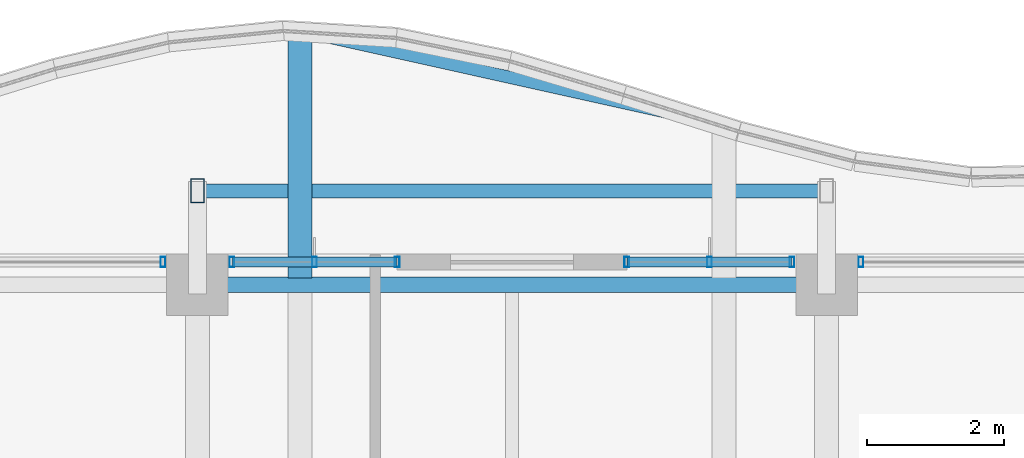
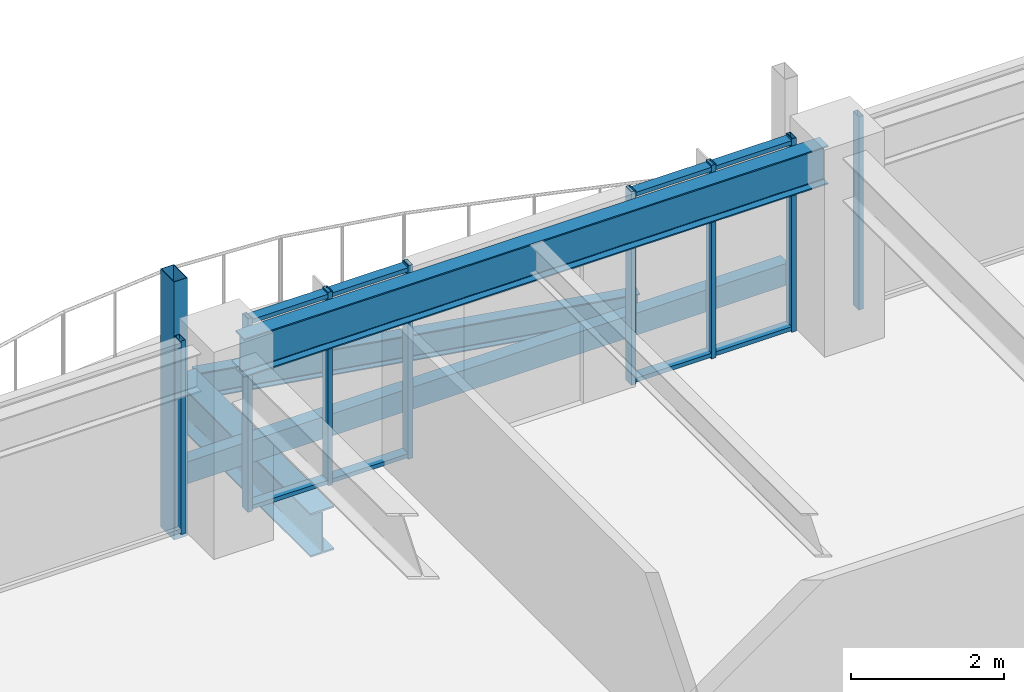
# One storey, part 20 of 37: 14 members, 3 beams, 4 elements without a shape of their own.
"""IFC4 building model written with IfcOpenShell, lengths in metres."""

from ifc_helpers import new_model, si_unit, direction, frame, origin, origin_2d, place, context, subcontext, project, spatial, hollow_rectangle, i_section, extrude, material, material_profile, profile_set, type_object, element, aggregate, save


model = new_model("IFC4")

# Units and contexts
model_context = context("Model", 3, precision=1e-05, world=origin(), true_north=direction((0.0, 1.0)))
body_context = subcontext(model_context, "Body", "Model", "MODEL_VIEW")
ifc_project = project(units=[si_unit("LENGTHUNIT", "METRE"), si_unit("AREAUNIT", "SQUARE_METRE"), si_unit("VOLUMEUNIT", "CUBIC_METRE"), si_unit("PLANEANGLEUNIT", "RADIAN"), si_unit("MASSUNIT", "GRAM", prefix="KILO")], contexts=[model_context])

# Site, building, storey
site_placement = place(None, origin())
site = spatial("IfcSite", under=ifc_project, at=site_placement, CompositionType="ELEMENT")
building_placement = place(site_placement, origin())
building = spatial("IfcBuilding", under=site, at=building_placement, Name="Kolvaren Belvedere", CompositionType="ELEMENT")
storey_placement = place(building_placement, frame((0.0, 0.0, 173.39990234375)))
storey = spatial("IfcBuildingStorey", under=building, at=storey_placement, Name="L50", CompositionType="ELEMENT", Elevation=173.39990234375)

# Beams
ifc_material_1 = material(Name="Structural steel ASTM A992 Grade 50", Category="steel")
ifc_material_profile_1 = material_profile(ifc_material_1, i_section(OverallWidth=0.35498046875, OverallDepth=0.696044921875, WebThickness=0.015380859375, FlangeThickness=0.02490234375, FilletRadius=0.02197265625, at=origin_2d()), Name="W27X146")
ifc_profile_set_1 = profile_set([ifc_material_profile_1], Name="Structural steel ASTM A992 Grade 50")
beam_type_1 = type_object("IfcBeamType", Name="BM-CANT-BAL", PredefinedType="BEAM", material=ifc_profile_set_1)
beam_1_placement = place(storey_placement, frame((-3.10009765625, 20.044921875, -0.56787109375), z_axis=(0.0, 1.0, 0.0), x_axis=(-1.0, 0.0, 0.0)))
element("IfcBeam", 1, at=beam_1_placement, inside=storey, type_object=beam_type_1, Name="L50 Planted Balcony Cantilever BAL-N-1", PredefinedType="BEAM", context=body_context, shape_type="SweptSolid", body=[
    extrude(i_section(OverallWidth=0.35498046875, OverallDepth=0.696044921875, WebThickness=0.015380859375, FlangeThickness=0.02490234375, FilletRadius=0.02197265625, at=origin_2d()), origin(), (0.0, 0.0, 1.0), 3.619140625),
])
ifc_material_2 = material(Name="Structural steel ASTM A992 Grade 50", Category="steel")
ifc_material_profile_2 = material_profile(ifc_material_2, i_section(OverallWidth=0.180908203125, OverallDepth=0.4169921875, WebThickness=0.010986328125, FlangeThickness=0.018310546875, FilletRadius=0.013916015625, at=origin_2d()), Name="W16X57")
ifc_profile_set_2 = profile_set([ifc_material_profile_2], Name="Structural steel ASTM A992 Grade 50")
beam_type_2 = type_object("IfcBeamType", Name="BM-EDGE-W16X57", PredefinedType="BEAM", material=ifc_profile_set_2)
beam_2_placement = place(storey_placement, frame((-2.96337890625, 23.6337890625, -0.428466796875), z_axis=(0.976133101582, -0.217173129084, 0.0), x_axis=(0.217173129084, 0.976133101582, 0.0)))
element("IfcBeam", 2, at=beam_2_placement, inside=storey, type_object=beam_type_2, Name="L50 Balcony Tip Header Beam BAL-N", PredefinedType="BEAM", context=body_context, shape_type="SweptSolid", body=[
    extrude(i_section(OverallWidth=0.180908203125, OverallDepth=0.4169921875, WebThickness=0.010986328125, FlangeThickness=0.018310546875, FilletRadius=0.013916015625, at=origin_2d()), origin(), (0.0, 0.0, 1.0), 6.07177734375),
])
ifc_material_3 = material(Name="Structural steel ASTM A992 Grade 50", Category="steel")
ifc_material_profile_3 = material_profile(ifc_material_3, i_section(OverallWidth=0.22900390625, OverallDepth=0.612060546875, WebThickness=0.011962890625, FlangeThickness=0.01953125, FilletRadius=0.01806640625, at=origin_2d()), Name="W24X84")
ifc_profile_set_3 = profile_set([ifc_material_profile_3], Name="Structural steel ASTM A992 Grade 50")
beam_type_3 = type_object("IfcBeamType", Name="BM-SPAN-W24X84", PredefinedType="SPANDREL", material=ifc_profile_set_3)
beam_3_placement = place(storey_placement, frame((4.3974609375, 19.949951171875, 2.774169921875), z_axis=(-1.0, 0.0, 0.0), x_axis=(0.0, -1.0, 0.0)))
element("IfcBeam", 3, at=beam_3_placement, inside=storey, type_object=beam_type_3, Name="L50 Perimeter Spandrel N3-N2", PredefinedType="SPANDREL", context=body_context, shape_type="SweptSolid", body=[
    extrude(i_section(OverallWidth=0.22900390625, OverallDepth=0.612060546875, WebThickness=0.011962890625, FlangeThickness=0.01953125, FilletRadius=0.01806640625, at=origin_2d()), origin(), (0.0, 0.0, 1.0), 8.794921875),
])

# Curtain wall, member
ifc_material_4 = material(Name="Anodised pale-metal aluminium AA 6063-T6", Category="aluminium")
curtain_wall_type = type_object("IfcCurtainWallType", Name="CW-Z5-HIGH", PredefinedType="NOTDEFINED", material=ifc_material_4)
curtain_wall_1_placement = place(storey_placement, origin())
curtain_wall_1 = element("IfcCurtainWall", 4, at=curtain_wall_1_placement, inside=storey, type_object=curtain_wall_type, Name="L50 Unitised Curtain Wall FCW-L50-N1-B1", PredefinedType="NOTDEFINED")
ifc_material_5 = material(Name="Anodised pale-metal aluminium AA 6063-T6", Category="aluminium")
ifc_material_profile_4 = material_profile(ifc_material_5, hollow_rectangle(XDim=0.070068359375, YDim=0.14990234375, WallThickness=0.004150390625, at=origin_2d()), Name="ALU-MUL-150X70")
ifc_profile_set_4 = profile_set([ifc_material_profile_4], Name="Anodised pale-metal aluminium AA 6063-T6")
member_type_1 = type_object("IfcMemberType", Name="CW-MUL-150", PredefinedType="MULLION", material=ifc_profile_set_4)
member_1_placement = place(storey_placement, frame((-5.10498046875, 20.280029296875, 0.0), z_axis=(0.0, 0.0, 1.0), x_axis=(1.0, 0.0, 0.0)))
member_1 = element("IfcMember", 5, at=member_1_placement, type_object=member_type_1, Name="FCW-L50-N1-B1 Unitised Mullion 3", PredefinedType="MULLION", context=body_context, shape_type="SweptSolid", body=[
    extrude(hollow_rectangle(XDim=0.070068359375, YDim=0.14990234375, WallThickness=0.004150390625, at=origin_2d()), origin(), (0.0, 0.0, 1.0), 3.080078125),
])
aggregate(curtain_wall_1, [member_1])

# Curtain wall, members
curtain_wall_2_placement = place(storey_placement, origin())
curtain_wall_2 = element("IfcCurtainWall", 6, at=curtain_wall_2_placement, inside=storey, type_object=curtain_wall_type, Name="L50 Unitised Curtain Wall FCW-L50-N1-B2", PredefinedType="NOTDEFINED")
member_2_placement = place(storey_placement, frame((-4.094970703125, 20.280029296875, 0.0), z_axis=(0.0, 0.0, 1.0), x_axis=(1.0, 0.0, 0.0)))
member_2 = element("IfcMember", 7, at=member_2_placement, type_object=member_type_1, Name="FCW-L50-N1-B2 Unitised Mullion 1", PredefinedType="MULLION", context=body_context, shape_type="SweptSolid", body=[
    extrude(hollow_rectangle(XDim=0.070068359375, YDim=0.14990234375, WallThickness=0.004150390625, at=origin_2d()), origin(), (0.0, 0.0, 1.0), 3.080078125),
])
member_3_placement = place(storey_placement, frame((-2.887451171875, 20.280029296875, 0.0), z_axis=(0.0, 0.0, 1.0), x_axis=(1.0, 0.0, 0.0)))
member_3 = element("IfcMember", 8, at=member_3_placement, type_object=member_type_1, Name="FCW-L50-N1-B2 Unitised Mullion 2", PredefinedType="MULLION", context=body_context, shape_type="SweptSolid", body=[
    extrude(hollow_rectangle(XDim=0.070068359375, YDim=0.14990234375, WallThickness=0.004150390625, at=origin_2d()), origin(), (0.0, 0.0, 1.0), 3.080078125),
])
member_4_placement = place(storey_placement, frame((-1.679931640625, 20.280029296875, 0.0), z_axis=(0.0, 0.0, 1.0), x_axis=(1.0, 0.0, 0.0)))
member_4 = element("IfcMember", 9, at=member_4_placement, type_object=member_type_1, Name="FCW-L50-N1-B2 Unitised Mullion 3", PredefinedType="MULLION", context=body_context, shape_type="SweptSolid", body=[
    extrude(hollow_rectangle(XDim=0.070068359375, YDim=0.14990234375, WallThickness=0.004150390625, at=origin_2d()), origin(), (0.0, 0.0, 1.0), 3.080078125),
])

curtain_wall_3_placement = place(storey_placement, origin())
curtain_wall_3 = element("IfcCurtainWall", 10, at=curtain_wall_3_placement, inside=storey, type_object=curtain_wall_type, Name="L50 Unitised Curtain Wall FCW-L50-N2-B1", PredefinedType="NOTDEFINED")
member_5_placement = place(storey_placement, frame((1.679931640625, 20.280029296875, 0.0), z_axis=(0.0, 0.0, 1.0), x_axis=(1.0, 0.0, 0.0)))
member_5 = element("IfcMember", 11, at=member_5_placement, type_object=member_type_1, Name="FCW-L50-N2-B1 Unitised Mullion 1", PredefinedType="MULLION", context=body_context, shape_type="SweptSolid", body=[
    extrude(hollow_rectangle(XDim=0.070068359375, YDim=0.14990234375, WallThickness=0.004150390625, at=origin_2d()), origin(), (0.0, 0.0, 1.0), 3.080078125),
])
member_6_placement = place(storey_placement, frame((2.887451171875, 20.280029296875, 0.0), z_axis=(0.0, 0.0, 1.0), x_axis=(1.0, 0.0, 0.0)))
member_6 = element("IfcMember", 12, at=member_6_placement, type_object=member_type_1, Name="FCW-L50-N2-B1 Unitised Mullion 2", PredefinedType="MULLION", context=body_context, shape_type="SweptSolid", body=[
    extrude(hollow_rectangle(XDim=0.070068359375, YDim=0.14990234375, WallThickness=0.004150390625, at=origin_2d()), origin(), (0.0, 0.0, 1.0), 3.080078125),
])
member_7_placement = place(storey_placement, frame((4.094970703125, 20.280029296875, 0.0), z_axis=(0.0, 0.0, 1.0), x_axis=(1.0, 0.0, 0.0)))
member_7 = element("IfcMember", 13, at=member_7_placement, type_object=member_type_1, Name="FCW-L50-N2-B1 Unitised Mullion 3", PredefinedType="MULLION", context=body_context, shape_type="SweptSolid", body=[
    extrude(hollow_rectangle(XDim=0.070068359375, YDim=0.14990234375, WallThickness=0.004150390625, at=origin_2d()), origin(), (0.0, 0.0, 1.0), 3.080078125),
])

# Curtain wall, member
curtain_wall_4_placement = place(storey_placement, origin())
curtain_wall_4 = element("IfcCurtainWall", 14, at=curtain_wall_4_placement, inside=storey, type_object=curtain_wall_type, Name="L50 Unitised Curtain Wall FCW-L50-N2-B2", PredefinedType="NOTDEFINED")
member_8_placement = place(storey_placement, frame((5.10498046875, 20.280029296875, 0.0), z_axis=(0.0, 0.0, 1.0), x_axis=(1.0, 0.0, 0.0)))
member_8 = element("IfcMember", 15, at=member_8_placement, type_object=member_type_1, Name="FCW-L50-N2-B2 Unitised Mullion 1", PredefinedType="MULLION", context=body_context, shape_type="SweptSolid", body=[
    extrude(hollow_rectangle(XDim=0.070068359375, YDim=0.14990234375, WallThickness=0.004150390625, at=origin_2d()), origin(), (0.0, 0.0, 1.0), 3.080078125),
])
aggregate(curtain_wall_4, [member_8])

# Member
ifc_material_6 = material(Name="Anodised pale-metal aluminium AA 6063-T6", Category="aluminium")
ifc_material_profile_5 = material_profile(ifc_material_6, hollow_rectangle(XDim=0.06494140625, YDim=0.14990234375, WallThickness=0.00390625, at=origin_2d()), Name="ALU-TRN-150X65")
ifc_profile_set_5 = profile_set([ifc_material_profile_5], Name="Anodised pale-metal aluminium AA 6063-T6")
member_type_2 = type_object("IfcMemberType", Name="CW-TRN-150", PredefinedType="USERDEFINED", material=ifc_profile_set_5)
member_9_placement = place(storey_placement, frame((-4.094970703125, 20.280029296875, 0.06005859375), z_axis=(1.0, 0.0, 0.0), x_axis=(0.0, 0.0, 1.0)))
member_9 = element("IfcMember", 16, at=member_9_placement, type_object=member_type_2, Name="FCW-L50-N1-B2 Sill Transom", ObjectType="TRANSOM", PredefinedType="USERDEFINED", context=body_context, shape_type="SweptSolid", body=[
    extrude(hollow_rectangle(XDim=0.06494140625, YDim=0.14990234375, WallThickness=0.00390625, at=origin_2d()), origin(), (0.0, 0.0, 1.0), 2.4150390625),
])

member_10_placement = place(storey_placement, frame((-4.094970703125, 20.280029296875, 3.02001953125), z_axis=(1.0, 0.0, 0.0), x_axis=(0.0, 0.0, 1.0)))
member_10 = element("IfcMember", 17, at=member_10_placement, type_object=member_type_2, Name="FCW-L50-N1-B2 Head Transom", ObjectType="TRANSOM", PredefinedType="USERDEFINED", context=body_context, shape_type="SweptSolid", body=[
    extrude(hollow_rectangle(XDim=0.06494140625, YDim=0.14990234375, WallThickness=0.00390625, at=origin_2d()), origin(), (0.0, 0.0, 1.0), 2.4150390625),
])

aggregate(curtain_wall_2, [member_2, member_3, member_4, member_9, member_10])

member_11_placement = place(storey_placement, frame((1.679931640625, 20.280029296875, 0.06005859375), z_axis=(1.0, 0.0, 0.0), x_axis=(0.0, 0.0, 1.0)))
member_11 = element("IfcMember", 18, at=member_11_placement, type_object=member_type_2, Name="FCW-L50-N2-B1 Sill Transom", ObjectType="TRANSOM", PredefinedType="USERDEFINED", context=body_context, shape_type="SweptSolid", body=[
    extrude(hollow_rectangle(XDim=0.06494140625, YDim=0.14990234375, WallThickness=0.00390625, at=origin_2d()), origin(), (0.0, 0.0, 1.0), 2.4150390625),
])

member_12_placement = place(storey_placement, frame((1.679931640625, 20.280029296875, 3.02001953125), z_axis=(1.0, 0.0, 0.0), x_axis=(0.0, 0.0, 1.0)))
member_12 = element("IfcMember", 19, at=member_12_placement, type_object=member_type_2, Name="FCW-L50-N2-B1 Head Transom", ObjectType="TRANSOM", PredefinedType="USERDEFINED", context=body_context, shape_type="SweptSolid", body=[
    extrude(hollow_rectangle(XDim=0.06494140625, YDim=0.14990234375, WallThickness=0.00390625, at=origin_2d()), origin(), (0.0, 0.0, 1.0), 2.4150390625),
])

aggregate(curtain_wall_3, [member_5, member_6, member_7, member_11, member_12])

# Members
ifc_material_7 = material(Name="Anodised pale-metal aluminium AA 6063-T6", Category="aluminium")
ifc_material_profile_6 = material_profile(ifc_material_7, hollow_rectangle(XDim=0.199951171875, YDim=0.35009765625, WallThickness=0.007568359375, at=origin_2d()), Name="ALU-PF-350X200")
ifc_profile_set_6 = profile_set([ifc_material_profile_6], Name="Anodised pale-metal aluminium AA 6063-T6")
member_type_3 = type_object("IfcMemberType", Name="PF-FRAME-350", PredefinedType="USERDEFINED", material=ifc_profile_set_6)
member_13_placement = place(storey_placement, frame((-4.60009765625, 21.320068359375, -0.809814453125), z_axis=(0.0, 0.0, 1.0), x_axis=(1.0, 0.0, 0.0)))
element("IfcMember", 20, at=member_13_placement, inside=storey, type_object=member_type_3, Name="L50 Outboard Picture-Frame Vertical N1", ObjectType="PICTURE FRAME FIN", PredefinedType="USERDEFINED", context=body_context, shape_type="SweptSolid", body=[
    extrude(hollow_rectangle(XDim=0.199951171875, YDim=0.35009765625, WallThickness=0.007568359375, at=origin_2d()), origin(), (0.0, 0.0, 1.0), 4.10986328125),
])
member_14_placement = place(storey_placement, frame((-4.60009765625, 21.320068359375, 0.130126953125), z_axis=(1.0, 0.0, 0.0), x_axis=(0.0, 1.0, 0.0)))
element("IfcMember", 21, at=member_14_placement, inside=storey, type_object=member_type_3, Name="L50 Outboard Picture-Frame Sill N", ObjectType="PICTURE FRAME FIN", PredefinedType="USERDEFINED", context=body_context, shape_type="SweptSolid", body=[
    extrude(hollow_rectangle(XDim=0.199951171875, YDim=0.35009765625, WallThickness=0.007568359375, at=origin_2d()), origin(), (0.0, 0.0, 1.0), 9.2001953125),
])

save(model, "model.ifc")
